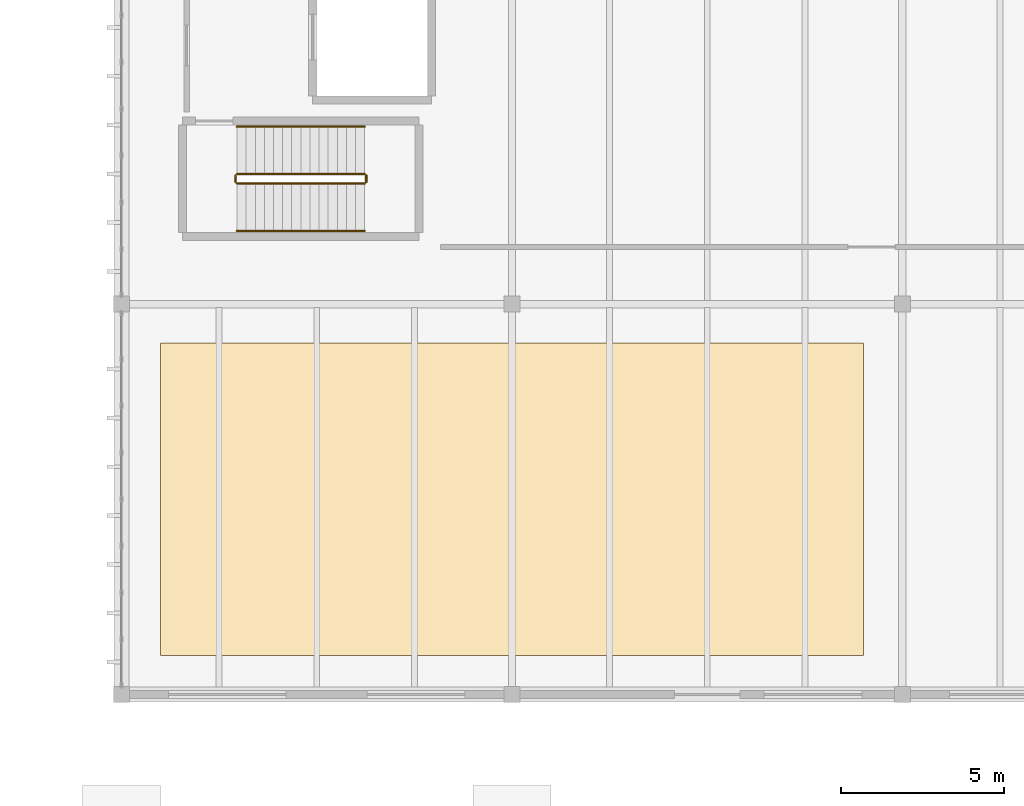
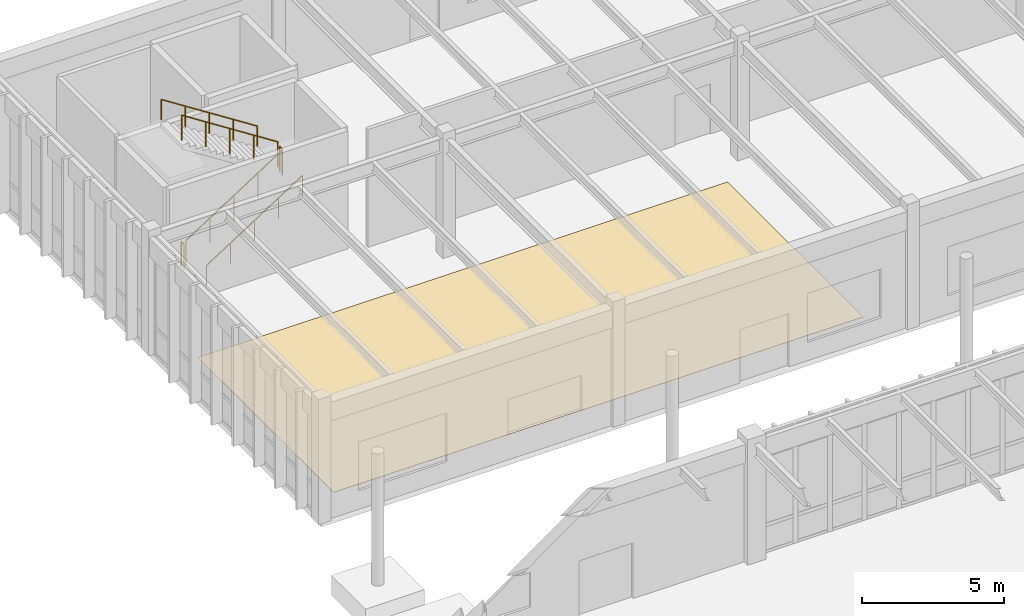
# One storey, part 179 of 188: 6 railings, 1 covering.
"""IFC4 building model written with IfcOpenShell, lengths in metres."""

from ifc_helpers import new_model, si_unit, direction, frame, origin, origin_2d, place, context, subcontext, project, spatial, polyline, circle, outline, extrude, material, layer, layer_set, type_object, element, save


model = new_model("IFC4")

# Units and contexts
model_context = context("Model", 3, precision=1e-05, world=origin(), true_north=direction((0.0, 1.0)))
body_context = subcontext(model_context, "Body", "Model", "MODEL_VIEW")
ifc_project = project(units=[si_unit("LENGTHUNIT", "METRE"), si_unit("AREAUNIT", "SQUARE_METRE"), si_unit("VOLUMEUNIT", "CUBIC_METRE"), si_unit("PLANEANGLEUNIT", "RADIAN"), si_unit("MASSUNIT", "GRAM", prefix="KILO")], contexts=[model_context])

# Site, building, storey
site_placement = place(None, origin())
site = spatial("IfcSite", under=ifc_project, at=site_placement, CompositionType="ELEMENT")
building_placement = place(site_placement, origin())
building = spatial("IfcBuilding", under=site, at=building_placement, Name="Pandanus Reach Market Hall", CompositionType="ELEMENT")
storey_placement = place(building_placement, origin())
storey = spatial("IfcBuildingStorey", under=building, at=storey_placement, Name="L00", CompositionType="ELEMENT", Elevation=0.0)

# Covering
ifc_material_1 = material(Name="Washable coved epoxy terrazzo flooring")
ifc_layer = layer(ifc_material_1, 0.014892578125, Name="FLR-EPX-15")
ifc_layer_set = layer_set([ifc_layer], Name="Washable coved epoxy terrazzo flooring")
covering_type = type_object("IfcCoveringType", Name="FLR-EPX-15", PredefinedType="FLOORING", material=ifc_layer_set)
covering_placement = place(storey_placement, origin())
element("IfcCovering", 1, at=covering_placement, inside=storey, type_object=covering_type, Name="Washable epoxy terrazzo flooring L00.4", PredefinedType="FLOORING", context=body_context, shape_type="SweptSolid", body=[
    extrude(outline(polyline([(61.199951171875, 97.199951171875), (82.800048828125, 97.199951171875), (82.800048828125, 106.800048828125), (61.199951171875, 106.800048828125), (61.199951171875, 97.199951171875)])), origin(), (0.0, 0.0, 1.0), 0.014892578125),
])

# Railings
ifc_material_2 = material(Name="Galvanised steel Grade 350 (350 MPa)", Category="steel")
railing_type_1 = type_object("IfcRailingType", Name="GR-INT-110", PredefinedType="GUARDRAIL", material=ifc_material_2)
railing_1_placement = place(storey_placement, frame((63.550048828125, 111.699951171875, 0.179931640625)))
element("IfcRailing", 2, at=railing_1_placement, inside=storey, type_object=railing_type_1, Name="Stair guard ST-05 L00.113", PredefinedType="GUARDRAIL", context=body_context, shape_type="SweptSolid", body=[
    extrude(circle(Radius=0.02392578125, at=origin_2d()), frame((0.0, 0.0, 1.076171875), z_axis=(0.841171666519, 0.0, 0.540768182723), x_axis=(0.0, 1.0, 0.0)), (0.0, 0.0, 1.0), 4.66015625),
    extrude(circle(Radius=0.02099609375, at=origin_2d()), origin(), (0.0, 0.0, 1.0), 1.052001953125),
    extrude(circle(Radius=0.02099609375, at=origin_2d()), frame((0.97998046875, 0.0, 0.6298828125)), (0.0, 0.0, 1.0), 1.052001953125),
    extrude(circle(Radius=0.02099609375, at=origin_2d()), frame((1.9599609375, 0.0, 1.260009765625)), (0.0, 0.0, 1.0), 1.052001953125),
    extrude(circle(Radius=0.02099609375, at=origin_2d()), frame((2.93994140625, 0.0, 1.89013671875)), (0.0, 0.0, 1.0), 1.052001953125),
    extrude(circle(Radius=0.02099609375, at=origin_2d()), frame((3.919921875, 0.0, 2.52001953125)), (0.0, 0.0, 1.0), 1.052001953125),
])
railing_2_placement = place(storey_placement, frame((67.52001953125, 111.75, 2.699951171875)))
element("IfcRailing", 3, at=railing_2_placement, inside=storey, type_object=railing_type_1, Name="Stair guard ST-05 L00.114", PredefinedType="GUARDRAIL", context=body_context, shape_type="SweptSolid", body=[
    extrude(circle(Radius=0.02392578125, at=origin_2d()), frame((0.0, 0.0, 1.076171875), z_axis=(0.0, 1.0, 0.0), x_axis=(-1.0, 0.0, 0.0)), (0.0, 0.0, 1.0), 0.199951171875),
    extrude(circle(Radius=0.02099609375, at=origin_2d()), origin(), (0.0, 0.0, 1.0), 1.052001953125),
    extrude(circle(Radius=0.02099609375, at=origin_2d()), frame((0.0, 0.199951171875, 0.0)), (0.0, 0.0, 1.0), 1.052001953125),
])
railing_3_placement = place(storey_placement, frame((67.469970703125, 112.0, 2.8798828125)))
element("IfcRailing", 4, at=railing_3_placement, inside=storey, type_object=railing_type_1, Name="Stair guard ST-05 L00.115", PredefinedType="GUARDRAIL", context=body_context, shape_type="SweptSolid", body=[
    extrude(circle(Radius=0.02392578125, at=origin_2d()), frame((0.0, 0.0, 1.076171875), z_axis=(-0.841171666519, 0.0, 0.540768182723), x_axis=(0.0, -1.0, 0.0)), (0.0, 0.0, 1.0), 4.66015625),
    extrude(circle(Radius=0.02099609375, at=origin_2d()), origin(), (0.0, 0.0, 1.0), 1.052001953125),
    extrude(circle(Radius=0.02099609375, at=origin_2d()), frame((-0.97998046875, 0.0, 0.6298828125)), (0.0, 0.0, 1.0), 1.052001953125),
    extrude(circle(Radius=0.02099609375, at=origin_2d()), frame((-1.9599609375, 0.0, 1.260009765625)), (0.0, 0.0, 1.0), 1.052001953125),
    extrude(circle(Radius=0.02099609375, at=origin_2d()), frame((-2.93994140625, 0.0, 1.89013671875)), (0.0, 0.0, 1.0), 1.052001953125),
    extrude(circle(Radius=0.02099609375, at=origin_2d()), frame((-3.919921875, 0.0, 2.52001953125)), (0.0, 0.0, 1.0), 1.052001953125),
])
railing_4_placement = place(storey_placement, frame((63.5, 111.75, 0.0)))
element("IfcRailing", 5, at=railing_4_placement, inside=storey, type_object=railing_type_1, Name="Stair guard ST-05 L00.116", PredefinedType="GUARDRAIL", context=body_context, shape_type="SweptSolid", body=[
    extrude(circle(Radius=0.02392578125, at=origin_2d()), frame((0.0, 0.0, 1.076171875), z_axis=(0.0, 1.0, 0.0), x_axis=(-1.0, 0.0, 0.0)), (0.0, 0.0, 1.0), 0.199951171875),
    extrude(circle(Radius=0.02099609375, at=origin_2d()), origin(), (0.0, 0.0, 1.0), 1.052001953125),
    extrude(circle(Radius=0.02099609375, at=origin_2d()), frame((0.0, 0.199951171875, 0.0)), (0.0, 0.0, 1.0), 1.052001953125),
])
ifc_material_3 = material(Name="Brushed stainless steel", Category="steel")
railing_type_2 = type_object("IfcRailingType", Name="HR-WAL-090", PredefinedType="HANDRAIL", material=ifc_material_3)
railing_5_placement = place(storey_placement, frame((63.550048828125, 110.25, 0.179931640625)))
element("IfcRailing", 6, at=railing_5_placement, inside=storey, type_object=railing_type_2, Name="Stair handrail ST-05 L00.117", PredefinedType="HANDRAIL", context=body_context, shape_type="SweptSolid", body=[
    extrude(circle(Radius=0.02392578125, at=origin_2d()), frame((0.0, 0.0, 0.8759765625), z_axis=(0.841171666519, 0.0, 0.540768182723), x_axis=(0.0, 1.0, 0.0)), (0.0, 0.0, 1.0), 4.66015625),
    extrude(circle(Radius=0.02099609375, at=origin_2d()), origin(), (0.0, 0.0, 1.0), 0.851806640625),
    extrude(circle(Radius=0.02099609375, at=origin_2d()), frame((0.97998046875, 0.0, 0.6298828125)), (0.0, 0.0, 1.0), 0.851806640625),
    extrude(circle(Radius=0.02099609375, at=origin_2d()), frame((1.9599609375, 0.0, 1.260009765625)), (0.0, 0.0, 1.0), 0.851806640625),
    extrude(circle(Radius=0.02099609375, at=origin_2d()), frame((2.93994140625, 0.0, 1.89013671875)), (0.0, 0.0, 1.0), 0.851806640625),
    extrude(circle(Radius=0.02099609375, at=origin_2d()), frame((3.919921875, 0.0, 2.52001953125)), (0.0, 0.0, 1.0), 0.851806640625),
])
railing_6_placement = place(storey_placement, frame((67.469970703125, 113.449951171875, 2.8798828125)))
element("IfcRailing", 7, at=railing_6_placement, inside=storey, type_object=railing_type_2, Name="Stair handrail ST-05 L00.118", PredefinedType="HANDRAIL", context=body_context, shape_type="SweptSolid", body=[
    extrude(circle(Radius=0.02392578125, at=origin_2d()), frame((0.0, 0.0, 0.8759765625), z_axis=(-0.841171666519, 0.0, 0.540768182723), x_axis=(0.0, -1.0, 0.0)), (0.0, 0.0, 1.0), 4.66015625),
    extrude(circle(Radius=0.02099609375, at=origin_2d()), origin(), (0.0, 0.0, 1.0), 0.851806640625),
    extrude(circle(Radius=0.02099609375, at=origin_2d()), frame((-0.97998046875, 0.0, 0.6298828125)), (0.0, 0.0, 1.0), 0.851806640625),
    extrude(circle(Radius=0.02099609375, at=origin_2d()), frame((-1.9599609375, 0.0, 1.260009765625)), (0.0, 0.0, 1.0), 0.851806640625),
    extrude(circle(Radius=0.02099609375, at=origin_2d()), frame((-2.93994140625, 0.0, 1.89013671875)), (0.0, 0.0, 1.0), 0.851806640625),
    extrude(circle(Radius=0.02099609375, at=origin_2d()), frame((-3.919921875, 0.0, 2.52001953125)), (0.0, 0.0, 1.0), 0.851806640625),
])

save(model, "model.ifc")
